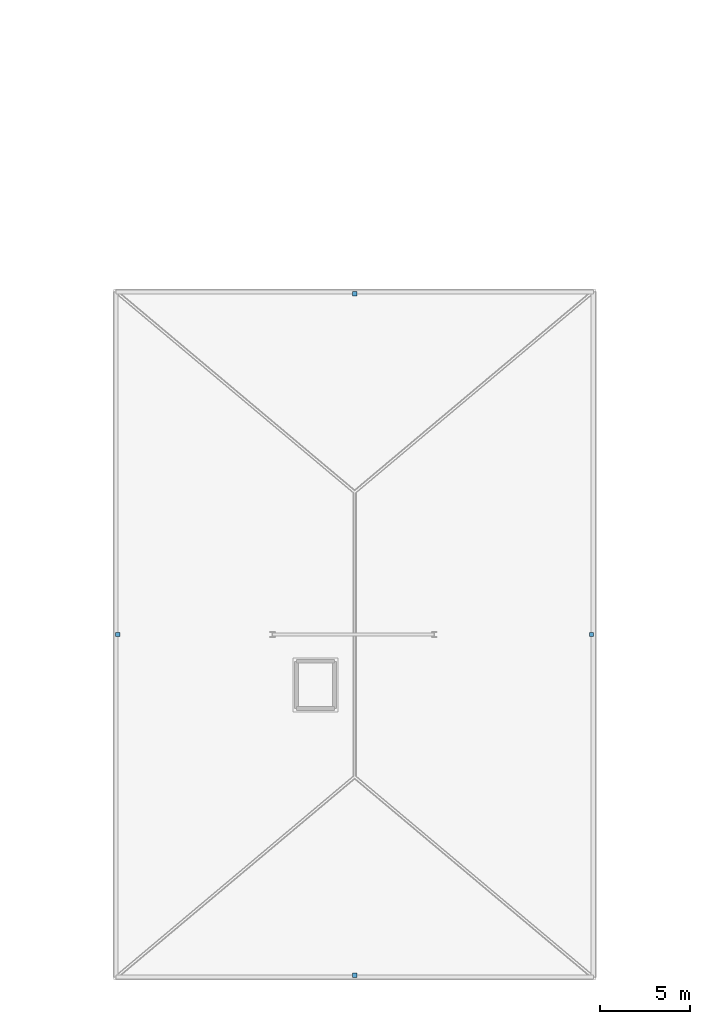
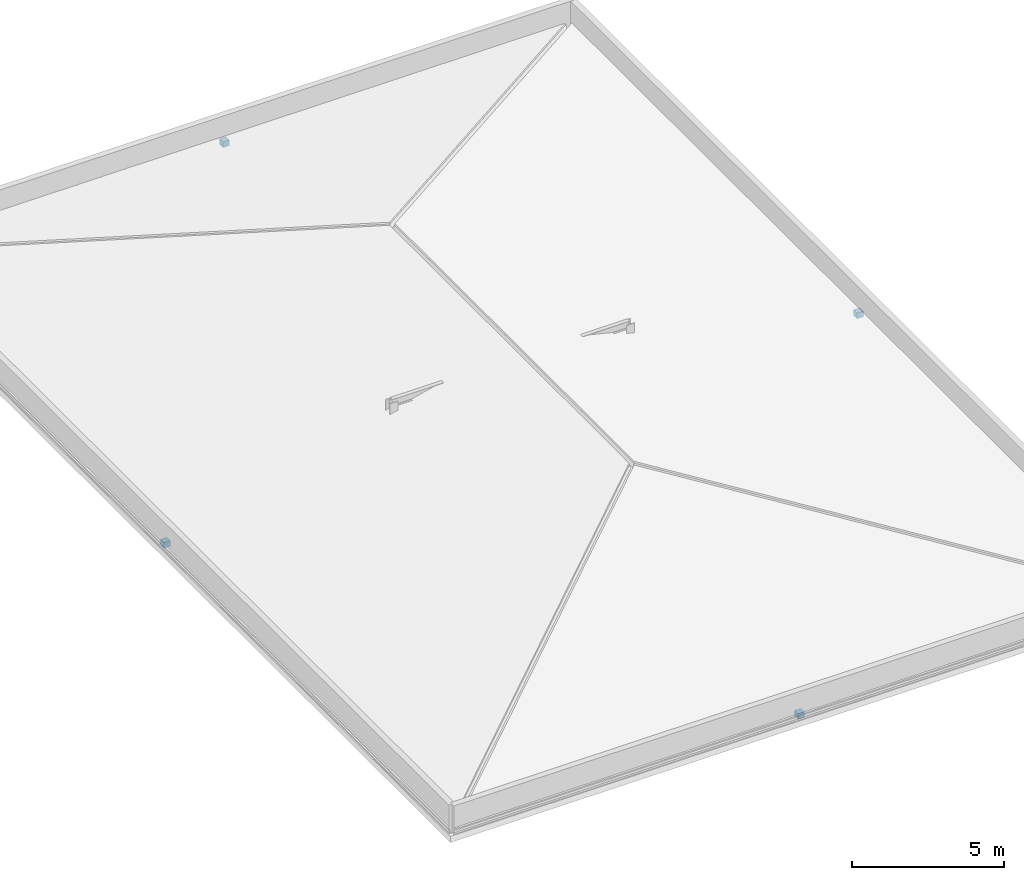
# One storey, part 23 of 25: 4 discrete accessories.
"""IFC4 building model written with IfcOpenShell, lengths in metres."""

from ifc_helpers import new_model, si_unit, direction, frame, origin, origin_2d, place, context, subcontext, project, spatial, rectangle, extrude, material, type_object, element, save


model = new_model("IFC4")

# Units and contexts
model_context = context("Model", 3, precision=1e-05, world=origin(), true_north=direction((0.0, 1.0)))
body_context = subcontext(model_context, "Body", "Model", "MODEL_VIEW")
ifc_project = project(units=[si_unit("LENGTHUNIT", "METRE"), si_unit("AREAUNIT", "SQUARE_METRE"), si_unit("VOLUMEUNIT", "CUBIC_METRE"), si_unit("PLANEANGLEUNIT", "RADIAN"), si_unit("MASSUNIT", "GRAM", prefix="KILO")], contexts=[model_context])

# Site, building, storey
site_placement = place(None, origin())
site = spatial("IfcSite", under=ifc_project, at=site_placement, CompositionType="ELEMENT")
building_placement = place(site_placement, origin())
building = spatial("IfcBuilding", under=site, at=building_placement, Name="Myrtia Square Station", CompositionType="ELEMENT")
storey_placement = place(building_placement, frame((0.0, 0.0, 18.89990234375)))
storey = spatial("IfcBuildingStorey", under=building, at=storey_placement, Name="L04", CompositionType="ELEMENT", Elevation=18.89990234375)

# Discrete accessories
ifc_material = material(Name="Steel S355", Category="steel")
discrete_accessory_type = type_object("IfcDiscreteAccessoryType", Name="ACC-HIP-SHOE", PredefinedType="BRACKET", material=ifc_material)
for number, where, z_axis, x_axis, name in (
    (1, (117.39990234375, 19.199951171875, -0.02978515625), (0.0, 0.0, 1.0), (1.0, 0.0, 0.0), "Hipped roof eave shoe bracket HIP-V4W-W"),
    (2, (143.75, 19.199951171875, -0.02978515625), (0.0, 0.0, 1.0), (1.0, 0.0, 0.0), "Hipped roof eave shoe bracket HIP-V4W-E"),
    (3, (130.574951171875, 0.25, -0.02978515625), (0.0, 0.0, 1.0), (1.0, 0.0, 0.0), "Hipped roof eave shoe bracket HIP-V4W-S"),
    (4, (130.574951171875, 38.14990234375, -0.02978515625), (0.0, 0.0, 1.0), (1.0, 0.0, 0.0), "Hipped roof eave shoe bracket HIP-V4W-N"),
):
    element("IfcDiscreteAccessory", number, at=place(storey_placement, frame(where, z_axis=z_axis, x_axis=x_axis)), inside=storey, type_object=discrete_accessory_type, Name=name, PredefinedType="BRACKET", context=body_context, shape_type="SweptSolid", body=[
        extrude(rectangle(XDim=0.239990234375, YDim=0.239990234375, at=origin_2d()), origin(), (0.0, 0.0, 1.0), 0.219970703125),
    ])

save(model, "model.ifc")
